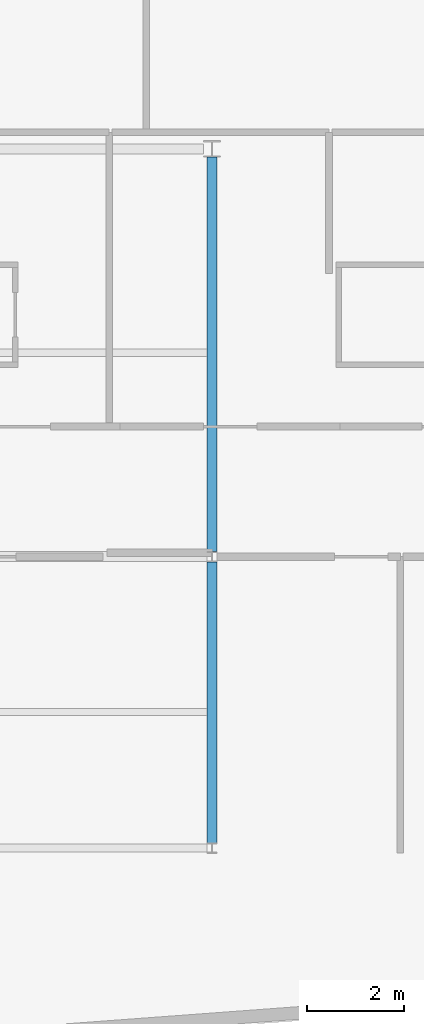
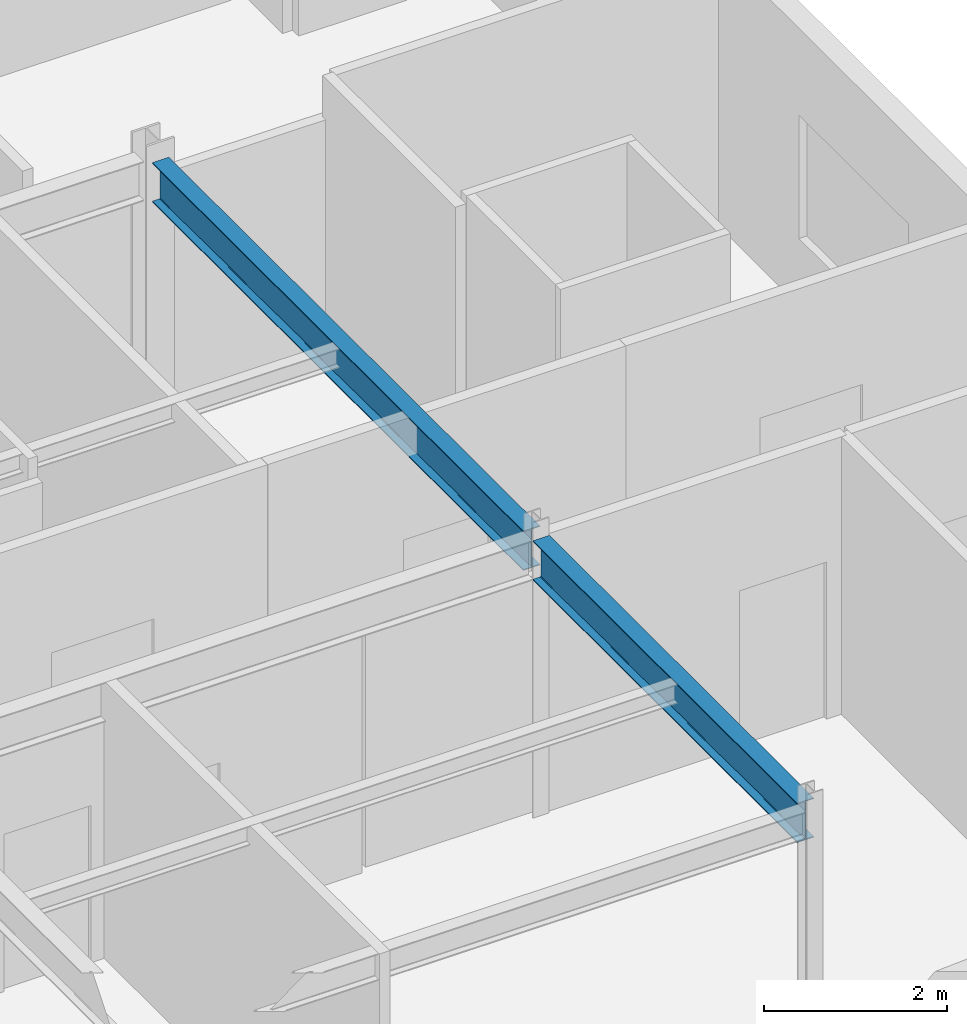
# One storey, part 7 of 16: 2 beams.
"""IFC4 building model written with IfcOpenShell, lengths in metres."""

from ifc_helpers import new_model, si_unit, direction, frame, origin, origin_2d, place, context, subcontext, project, spatial, i_section, extrude, material, material_profile, profile_set, type_object, element, save


model = new_model("IFC4")

# Units and contexts
model_context = context("Model", 3, precision=1e-05, world=origin(), true_north=direction((0.0, 1.0)))
body_context = subcontext(model_context, "Body", "Model", "MODEL_VIEW")
ifc_project = project(units=[si_unit("LENGTHUNIT", "METRE"), si_unit("AREAUNIT", "SQUARE_METRE"), si_unit("VOLUMEUNIT", "CUBIC_METRE"), si_unit("PLANEANGLEUNIT", "RADIAN"), si_unit("MASSUNIT", "GRAM", prefix="KILO")], contexts=[model_context])

# Site, building, storey
site_placement = place(None, origin())
site = spatial("IfcSite", under=ifc_project, at=site_placement, CompositionType="ELEMENT")
building_placement = place(site_placement, origin())
building = spatial("IfcBuilding", under=site, at=building_placement, Name="Varnakote Quay Hospital", CompositionType="ELEMENT")
storey_placement = place(building_placement, frame((0.0, 0.0, 280.25)))
storey = spatial("IfcBuildingStorey", under=building, at=storey_placement, Name="L69", CompositionType="ELEMENT", Elevation=280.25)

# Beams
ifc_material = material(Name="Structural steel AS/NZS 3679.1 Grade 350 L0 (fy 340 MPa)", Category="steel")
ifc_material_profile = material_profile(ifc_material, i_section(OverallWidth=0.208984375, OverallDepth=0.528076171875, WebThickness=0.009521484375, FlangeThickness=0.01318359375, FilletRadius=0.013916015625, at=origin_2d()), Name="530UB82.0")
ifc_profile_set = profile_set([ifc_material_profile], Name="Structural steel AS/NZS 3679.1 Grade 350 L0 (fy 340 MPa)")
beam_type = type_object("IfcBeamType", Name="BM-STL-530UB82-0", PredefinedType="BEAM", material=ifc_profile_set)
beam_1_placement = place(storey_placement, frame((33.60009765625, 6.10498046875, 3.446044921875), z_axis=(0.0, 1.0, 0.0), x_axis=(-1.0, 0.0, 0.0)))
element("IfcBeam", 1, at=beam_1_placement, inside=storey, type_object=beam_type, Name="L69 Primary Tie Beam", PredefinedType="BEAM", context=body_context, shape_type="SweptSolid", body=[
    extrude(i_section(OverallWidth=0.208984375, OverallDepth=0.528076171875, WebThickness=0.009521484375, FlangeThickness=0.01318359375, FilletRadius=0.013916015625, at=origin_2d()), origin(), (0.0, 0.0, 1.0), 5.7900390625),
])
beam_2_placement = place(storey_placement, frame((33.60009765625, 12.10498046875, 3.446044921875), z_axis=(0.0, 1.0, 0.0), x_axis=(-1.0, 0.0, 0.0)))
element("IfcBeam", 2, at=beam_2_placement, inside=storey, type_object=beam_type, Name="L69 Primary Tie Beam", PredefinedType="BEAM", context=body_context, shape_type="SweptSolid", body=[
    extrude(i_section(OverallWidth=0.208984375, OverallDepth=0.528076171875, WebThickness=0.009521484375, FlangeThickness=0.01318359375, FilletRadius=0.013916015625, at=origin_2d()), origin(), (0.0, 0.0, 1.0), 8.125),
])

save(model, "model.ifc")
